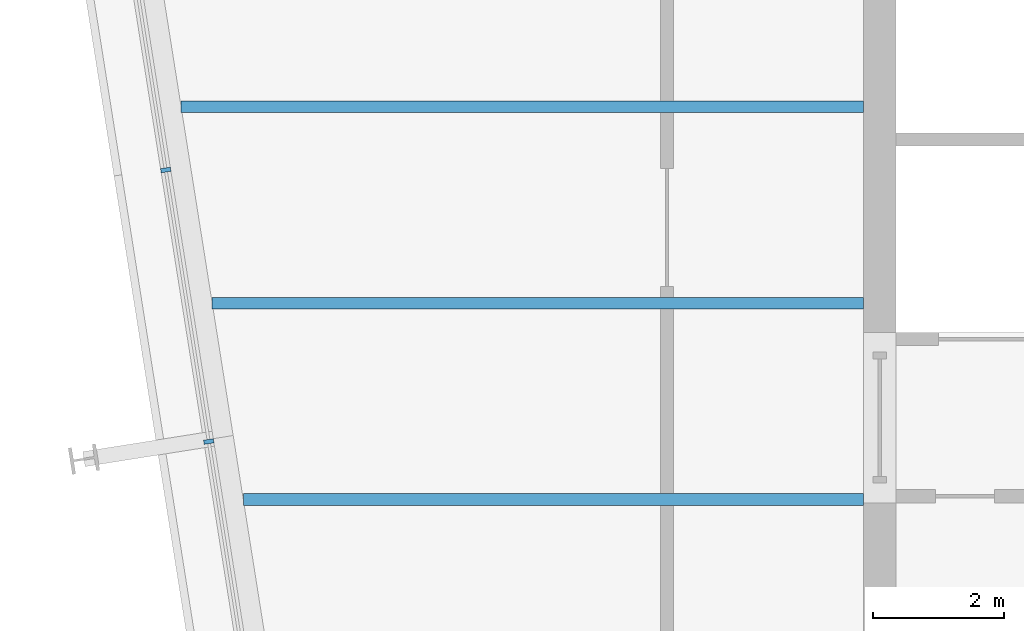
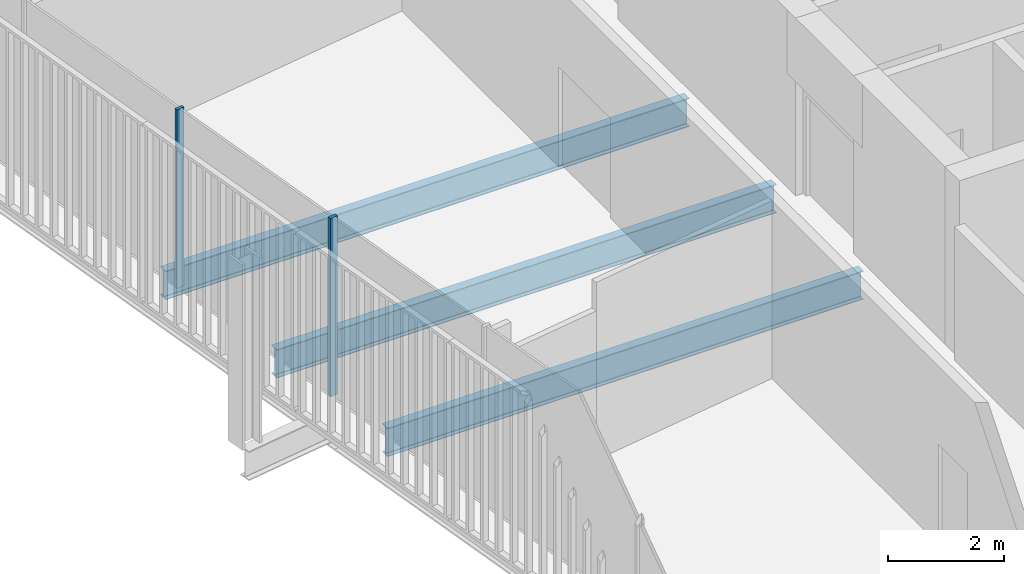
# One storey, part 4 of 20: 3 beams, 2 members, 1 element without a shape of its own.
"""IFC4 building model written with IfcOpenShell, lengths in metres."""

from ifc_helpers import new_model, si_unit, direction, frame, origin, origin_2d, place, context, subcontext, project, spatial, rectangle, i_section, extrude, material, layer, layer_set, material_profile, profile_set, type_object, element, aggregate, save


model = new_model("IFC4")

# Units and contexts
model_context = context("Model", 3, precision=1e-05, world=origin(), true_north=direction((0.0, 1.0)))
body_context = subcontext(model_context, "Body", "Model", "MODEL_VIEW")
ifc_project = project(units=[si_unit("LENGTHUNIT", "METRE"), si_unit("AREAUNIT", "SQUARE_METRE"), si_unit("VOLUMEUNIT", "CUBIC_METRE"), si_unit("PLANEANGLEUNIT", "RADIAN"), si_unit("MASSUNIT", "GRAM", prefix="KILO")], contexts=[model_context])

# Site, building, storey
site_placement = place(None, origin())
site = spatial("IfcSite", under=ifc_project, at=site_placement, CompositionType="ELEMENT")
building_placement = place(site_placement, origin())
building = spatial("IfcBuilding", under=site, at=building_placement, Name="Millrace Tower", CompositionType="ELEMENT")
storey_placement = place(building_placement, frame((0.0, 0.0, 208.60009765625)))
storey = spatial("IfcBuildingStorey", under=building, at=storey_placement, Name="L47", CompositionType="ELEMENT", Elevation=208.60009765625)

# Curtain wall, members
ifc_material_1 = material(Name="Aluminium and glass", Category="aluminium")
ifc_layer = layer(ifc_material_1, 0.14990234375)
ifc_layer_set = layer_set([ifc_layer], Name="Aluminium and glass")
curtain_wall_type = type_object("IfcCurtainWallType", Name="CW-1 office vision curtain wall", PredefinedType="NOTDEFINED", material=ifc_layer_set)
curtain_wall_placement = place(storey_placement, origin())
curtain_wall = element("IfcCurtainWall", 1, at=curtain_wall_placement, inside=storey, type_object=curtain_wall_type, Name="Curtain wall D-F08 L47", PredefinedType="NOTDEFINED")
ifc_material_2 = material(Name="Aluminium", Category="aluminium")
ifc_material_profile_1 = material_profile(ifc_material_2, rectangle(XDim=0.06494140625, YDim=0.14990234375, at=origin_2d()))
ifc_profile_set_1 = profile_set([ifc_material_profile_1], Name="Aluminium")
member_type = type_object("IfcMemberType", Name="CW-1 office vision curtain wall mullion", PredefinedType="MULLION", material=ifc_profile_set_1)
member_1_placement = place(storey_placement, frame((-25.057373046875, -0.966064453125, 0.139892578125), z_axis=(0.0, 0.0, 1.0), x_axis=(0.156434471884, -0.987688339511, 0.0)))
member_1 = element("IfcMember", 2, at=member_1_placement, type_object=member_type, Name="CW1 mullion D-F08.6", PredefinedType="MULLION", context=body_context, shape_type="SweptSolid", body=[
    extrude(rectangle(XDim=0.06494140625, YDim=0.14990234375, at=origin_2d()), origin(), (0.0, 0.0, 1.0), 3.760009765625),
])
member_2_placement = place(storey_placement, frame((-24.400390625, -5.1142578125, 0.139892578125), z_axis=(0.0, 0.0, 1.0), x_axis=(0.156434471884, -0.987688339511, 0.0)))
member_2 = element("IfcMember", 3, at=member_2_placement, type_object=member_type, Name="CW1 mullion D-F08.7", PredefinedType="MULLION", context=body_context, shape_type="SweptSolid", body=[
    extrude(rectangle(XDim=0.06494140625, YDim=0.14990234375, at=origin_2d()), origin(), (0.0, 0.0, 1.0), 3.760009765625),
])
aggregate(curtain_wall, [member_1, member_2])

# Beams
ifc_material_3 = material(Name="Steel ASTM A992 Grade 50", Category="steel")
ifc_material_profile_2 = material_profile(ifc_material_3, i_section(OverallWidth=0.177978515625, OverallDepth=0.599365234375, WebThickness=0.010009765625, FlangeThickness=0.012939453125, FilletRadius=0.012939453125, at=origin_2d()))
ifc_profile_set_2 = profile_set([ifc_material_profile_2], Name="Steel ASTM A992 Grade 50")
beam_type_1 = type_object("IfcBeamType", Name="Floor beam W24x55", PredefinedType="JOIST", material=ifc_profile_set_2)
beam_1_placement = place(storey_placement, frame((-23.872802734375, -6.0, -0.459716796875), z_axis=(1.0, 0.0, 0.0), x_axis=(0.0, 1.0, 0.0)))
element("IfcBeam", 4, at=beam_1_placement, inside=storey, type_object=beam_type_1, Name="BM-D-L47-S1-S009", PredefinedType="JOIST", context=body_context, shape_type="SweptSolid", body=[
    extrude(i_section(OverallWidth=0.177978515625, OverallDepth=0.599365234375, WebThickness=0.010009765625, FlangeThickness=0.012939453125, FilletRadius=0.012939453125, at=origin_2d()), origin(), (0.0, 0.0, 1.0), 9.472900390625),
])
beam_2_placement = place(storey_placement, frame((-24.34814453125, -3.0, -0.459716796875), z_axis=(1.0, 0.0, 0.0), x_axis=(0.0, 1.0, 0.0)))
element("IfcBeam", 5, at=beam_2_placement, inside=storey, type_object=beam_type_1, Name="BM-D-L47-S1-S012", PredefinedType="JOIST", context=body_context, shape_type="SweptSolid", body=[
    extrude(i_section(OverallWidth=0.177978515625, OverallDepth=0.599365234375, WebThickness=0.010009765625, FlangeThickness=0.012939453125, FilletRadius=0.012939453125, at=origin_2d()), origin(), (0.0, 0.0, 1.0), 9.9482421875),
])
ifc_material_4 = material(Name="Steel ASTM A992 Grade 50", Category="steel")
ifc_material_profile_3 = material_profile(ifc_material_4, i_section(OverallWidth=0.1787109375, OverallDepth=0.60205078125, WebThickness=0.010986328125, FlangeThickness=0.014892578125, FilletRadius=0.0126953125, at=origin_2d()))
ifc_profile_set_3 = profile_set([ifc_material_profile_3], Name="Steel ASTM A992 Grade 50")
beam_type_2 = type_object("IfcBeamType", Name="Floor beam W24x62", PredefinedType="JOIST", material=ifc_profile_set_3)
beam_3_placement = place(storey_placement, frame((-24.8232421875, 0.0, -0.461181640625), z_axis=(1.0, 0.0, 0.0), x_axis=(0.0, 1.0, 0.0)))
element("IfcBeam", 6, at=beam_3_placement, inside=storey, type_object=beam_type_2, Name="BM-D-L47-S1-S015", PredefinedType="JOIST", context=body_context, shape_type="SweptSolid", body=[
    extrude(i_section(OverallWidth=0.1787109375, OverallDepth=0.60205078125, WebThickness=0.010986328125, FlangeThickness=0.014892578125, FilletRadius=0.0126953125, at=origin_2d()), origin(), (0.0, 0.0, 1.0), 10.42333984375),
])

save(model, "model.ifc")
